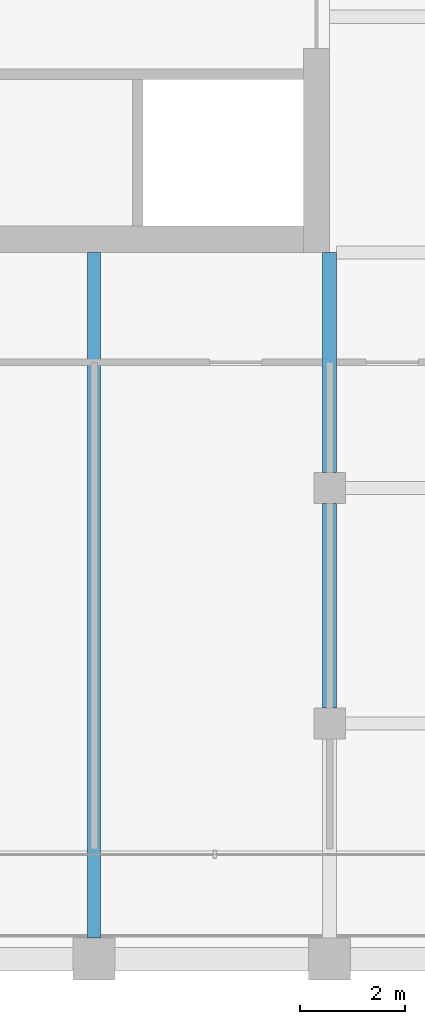
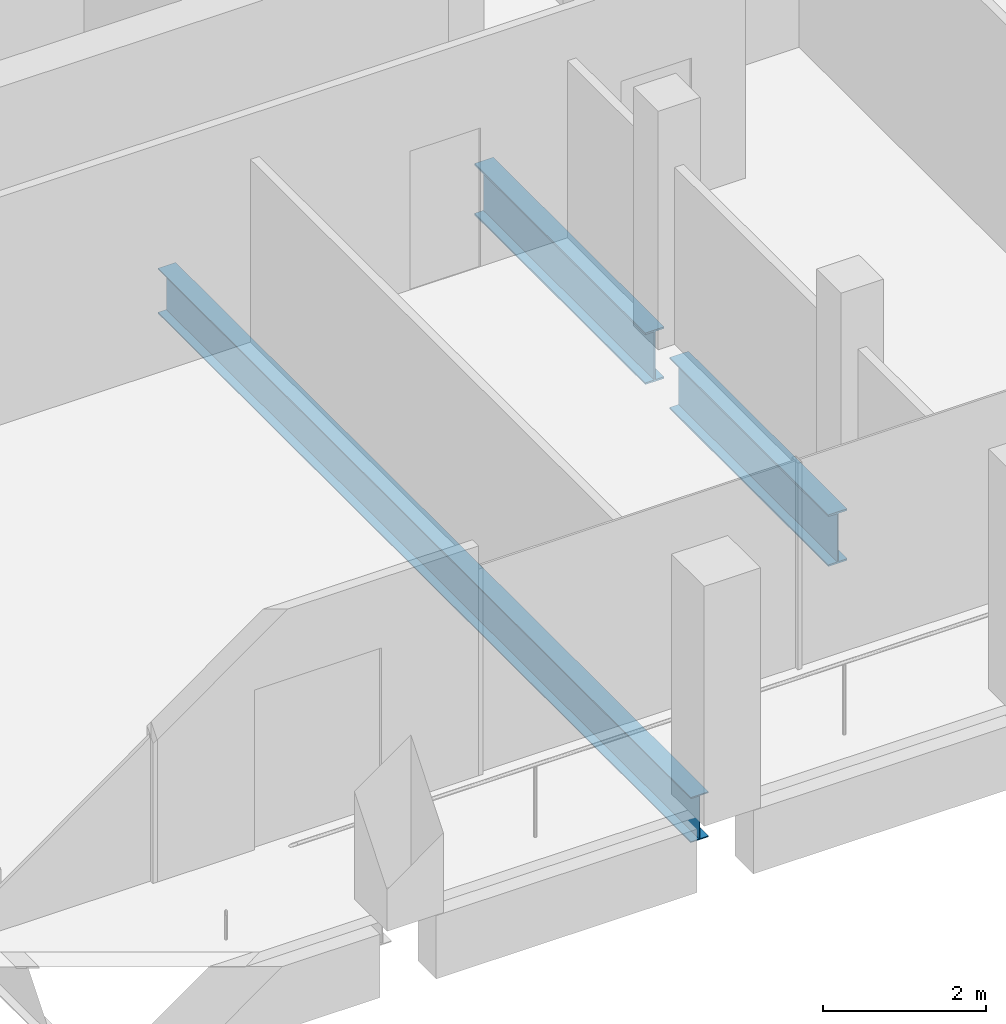
# One storey, part 10 of 30: 3 beams.
"""IFC4 building model written with IfcOpenShell, lengths in metres."""

from ifc_helpers import new_model, si_unit, direction, frame, origin, origin_2d, place, context, subcontext, project, spatial, i_section, extrude, material, material_profile, profile_set, type_object, element, save


model = new_model("IFC4")

# Units and contexts
model_context = context("Model", 3, precision=1e-05, world=origin(), true_north=direction((0.0, 1.0)))
body_context = subcontext(model_context, "Body", "Model", "MODEL_VIEW")
ifc_project = project(units=[si_unit("LENGTHUNIT", "METRE"), si_unit("AREAUNIT", "SQUARE_METRE"), si_unit("VOLUMEUNIT", "CUBIC_METRE"), si_unit("PLANEANGLEUNIT", "RADIAN"), si_unit("MASSUNIT", "GRAM", prefix="KILO")], contexts=[model_context])

# Site, building, storey
site_placement = place(None, origin())
site = spatial("IfcSite", under=ifc_project, at=site_placement, CompositionType="ELEMENT")
building_placement = place(site_placement, origin())
building = spatial("IfcBuilding", under=site, at=building_placement, Name="Altepetl Exchange Towers", CompositionType="ELEMENT")
storey_placement = place(building_placement, frame((0.0, 0.0, 220.800048828125)))
storey = spatial("IfcBuildingStorey", under=building, at=storey_placement, Name="L56", CompositionType="ELEMENT", Elevation=220.800048828125)

# Beams
ifc_material = material(Name="Steel S355", Category="steel")
ifc_material_profile_1 = material_profile(ifc_material, i_section(OverallWidth=0.2529296875, OverallDepth=0.677978515625, WebThickness=0.01171875, FlangeThickness=0.016357421875, at=origin_2d()), Name="W27X84")
ifc_profile_set_1 = profile_set([ifc_material_profile_1], Name="Steel S355")
beam_type_1 = type_object("IfcBeamType", Name="Floor beam W27X84", PredefinedType="BEAM", material=ifc_profile_set_1)
beam_1_placement = place(storey_placement, frame((54.0, 27.39990234375, -0.489013671875), z_axis=(0.0, 1.0, 0.0), x_axis=(-1.0, 0.0, 0.0)))
element("IfcBeam", 1, at=beam_1_placement, inside=storey, type_object=beam_type_1, Name="bm:A:L56:017", PredefinedType="BEAM", context=body_context, shape_type="SweptSolid", body=[
    extrude(i_section(OverallWidth=0.2529296875, OverallDepth=0.677978515625, WebThickness=0.01171875, FlangeThickness=0.016357421875, at=origin_2d()), origin(), (0.0, 0.0, 1.0), 13.10009765625),
])
ifc_material_profile_2 = material_profile(ifc_material, i_section(OverallWidth=0.26806640625, OverallDepth=0.77392578125, WebThickness=0.015380859375, FlangeThickness=0.025390625, at=origin_2d()), Name="W30X132")
ifc_profile_set_2 = profile_set([ifc_material_profile_2], Name="Steel S355")
beam_type_2 = type_object("IfcBeamType", Name="Girder W30X132", PredefinedType="BEAM", material=ifc_profile_set_2)
beam_2_placement = place(storey_placement, frame((58.5, 40.5, -0.537109375), z_axis=(0.0, -1.0, 0.0), x_axis=(1.0, 0.0, 0.0)))
element("IfcBeam", 2, at=beam_2_placement, inside=storey, type_object=beam_type_2, Name="gd:A:L56:003", PredefinedType="BEAM", context=body_context, shape_type="SweptSolid", body=[
    extrude(i_section(OverallWidth=0.26806640625, OverallDepth=0.77392578125, WebThickness=0.015380859375, FlangeThickness=0.025390625, at=origin_2d()), origin(), (0.0, 0.0, 1.0), 4.199951171875),
])
beam_3_placement = place(storey_placement, frame((58.5, 35.699951171875, -0.537109375), z_axis=(0.0, -1.0, 0.0), x_axis=(1.0, 0.0, 0.0)))
element("IfcBeam", 3, at=beam_3_placement, inside=storey, type_object=beam_type_2, Name="gd:A:L56:004", PredefinedType="BEAM", context=body_context, shape_type="SweptSolid", body=[
    extrude(i_section(OverallWidth=0.26806640625, OverallDepth=0.77392578125, WebThickness=0.015380859375, FlangeThickness=0.025390625, at=origin_2d()), origin(), (0.0, 0.0, 1.0), 3.89990234375),
])

save(model, "model.ifc")
